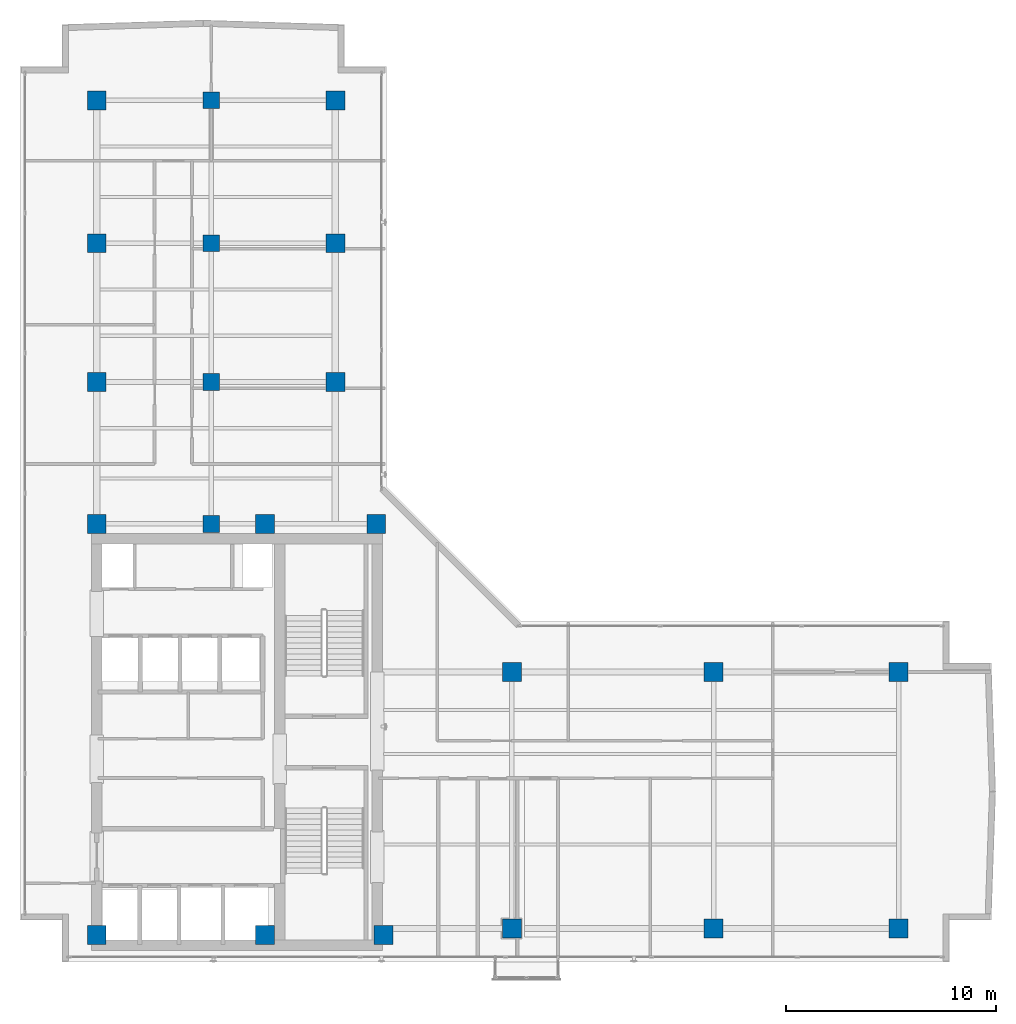
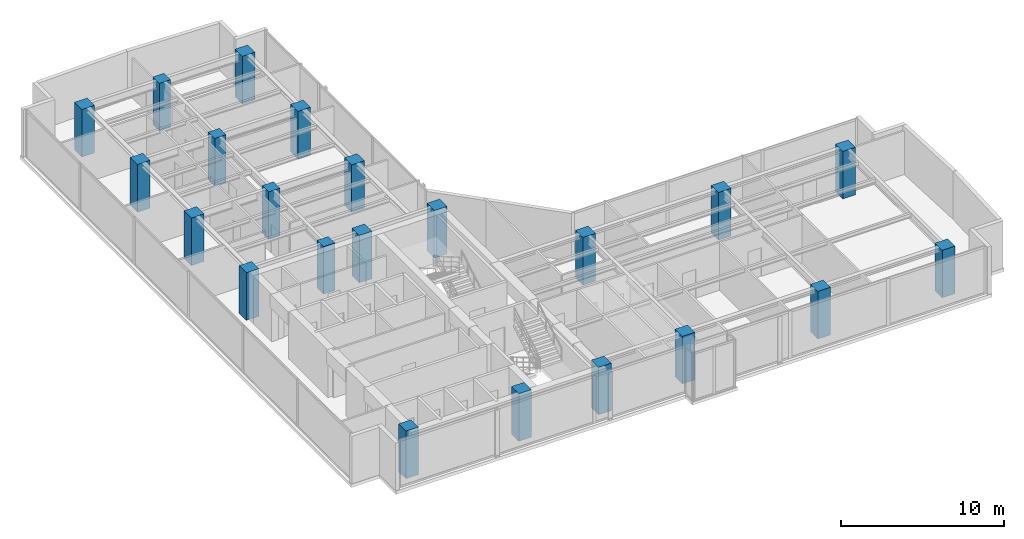
# One storey, part 1 of 22: 22 columns.
"""IFC4 building model written with IfcOpenShell, lengths in metres."""

from ifc_helpers import new_model, si_unit, direction, frame, origin, origin_2d, place, context, subcontext, project, spatial, rectangle, extrude, material, material_profile, profile_set, type_object, element, save


model = new_model("IFC4")

# Units and contexts
model_context = context("Model", 3, precision=1e-05, world=origin(), true_north=direction((0.0, 1.0)))
body_context = subcontext(model_context, "Body", "Model", "MODEL_VIEW")
ifc_project = project(units=[si_unit("LENGTHUNIT", "METRE"), si_unit("AREAUNIT", "SQUARE_METRE"), si_unit("VOLUMEUNIT", "CUBIC_METRE"), si_unit("PLANEANGLEUNIT", "RADIAN"), si_unit("MASSUNIT", "GRAM", prefix="KILO")], contexts=[model_context])

# Site, building, storey
site_placement = place(None, origin())
site = spatial("IfcSite", under=ifc_project, at=site_placement, CompositionType="ELEMENT")
building_placement = place(site_placement, origin())
building = spatial("IfcBuilding", under=site, at=building_placement, Name="Kolvaren Waterfront Exchange", CompositionType="ELEMENT")
storey_placement = place(building_placement, frame((0.0, 0.0, 323.60009765625)))
storey = spatial("IfcBuildingStorey", under=building, at=storey_placement, Name="L83", CompositionType="ELEMENT", Elevation=323.60009765625)

# Columns
ifc_material = material(Name="Concrete C50/60", Category="concrete")
ifc_material_profile_1 = material_profile(ifc_material, rectangle(XDim=0.800048828125, YDim=0.800048828125, at=origin_2d()), Name="RC-COL-800x800")
ifc_profile_set_1 = profile_set([ifc_material_profile_1], Name="Concrete C50/60")
column_type_1 = type_object("IfcColumnType", Name="STR-COL-800-C50", PredefinedType="COLUMN", material=ifc_profile_set_1)
for number, where, z_axis, x_axis, name in (
    (1, (12.89990234375, 24.449951171875, 0.0), (0.0, 0.0, 1.0), (1.0, 0.0, 0.0), "L83 column TC01"),
    (2, (12.89990234375, 31.199951171875, 0.0), (0.0, 0.0, 1.0), (1.0, 0.0, 0.0), "L83 column TC02"),
    (3, (12.89990234375, 37.800048828125, 0.0), (0.0, 0.0, 1.0), (1.0, 0.0, 0.0), "L83 column TC03"),
    (4, (12.89990234375, 44.60009765625, 0.0), (0.0, 0.0, 1.0), (1.0, 0.0, 0.0), "L83 column TC04"),
):
    element("IfcColumn", number, at=place(storey_placement, frame(where, z_axis=z_axis, x_axis=x_axis)), inside=storey, type_object=column_type_1, Name=name, PredefinedType="COLUMN", context=body_context, shape_type="SweptSolid", body=[
        extrude(rectangle(XDim=0.800048828125, YDim=0.800048828125, at=origin_2d()), origin(), (0.0, 0.0, 1.0), 3.559814453125),
    ])
ifc_material_profile_2 = material_profile(ifc_material, rectangle(XDim=0.89990234375, YDim=0.89990234375, at=origin_2d()), Name="RC-COL-900x900")
ifc_profile_set_2 = profile_set([ifc_material_profile_2], Name="Concrete C50/60")
column_type_2 = type_object("IfcColumnType", Name="STR-COL-900-C50", PredefinedType="COLUMN", material=ifc_profile_set_2)
for number, where, z_axis, x_axis, name in (
    (5, (7.449951171875, 4.89990234375, 0.0), (0.0, 0.0, 1.0), (1.0, 0.0, 0.0), "L83 column MC01"),
    (6, (15.449951171875, 4.89990234375, 0.0), (0.0, 0.0, 1.0), (1.0, 0.0, 0.0), "L83 column MC02"),
    (7, (21.10009765625, 4.89990234375, 0.0), (0.0, 0.0, 1.0), (1.0, 0.0, 0.0), "L83 column MC03"),
    (8, (7.449951171875, 24.449951171875, 0.0), (0.0, 0.0, 1.0), (1.0, 0.0, 0.0), "L83 column MC04"),
    (9, (15.449951171875, 24.449951171875, 0.0), (0.0, 0.0, 1.0), (1.0, 0.0, 0.0), "L83 column MC05"),
    (10, (20.75, 24.449951171875, 0.0), (0.0, 0.0, 1.0), (1.0, 0.0, 0.0), "L83 column MC06"),
    (11, (7.449951171875, 31.199951171875, 0.0), (0.0, 0.0, 1.0), (1.0, 0.0, 0.0), "L83 column NC01"),
    (12, (7.449951171875, 37.800048828125, 0.0), (0.0, 0.0, 1.0), (1.0, 0.0, 0.0), "L83 column NC02"),
    (13, (7.449951171875, 44.60009765625, 0.0), (0.0, 0.0, 1.0), (1.0, 0.0, 0.0), "L83 column NC03"),
    (14, (18.800048828125, 31.199951171875, 0.0), (0.0, 0.0, 1.0), (1.0, 0.0, 0.0), "L83 column NC04"),
    (15, (18.800048828125, 37.800048828125, 0.0), (0.0, 0.0, 1.0), (1.0, 0.0, 0.0), "L83 column NC05"),
    (16, (18.800048828125, 44.60009765625, 0.0), (0.0, 0.0, 1.0), (1.0, 0.0, 0.0), "L83 column NC06"),
    (17, (27.199951171875, 5.199951171875, 0.0), (0.0, 0.0, 1.0), (1.0, 0.0, 0.0), "L83 column EC01"),
    (18, (36.800048828125, 5.199951171875, 0.0), (0.0, 0.0, 1.0), (1.0, 0.0, 0.0), "L83 column EC02"),
    (19, (45.60009765625, 5.199951171875, 0.0), (0.0, 0.0, 1.0), (1.0, 0.0, 0.0), "L83 column EC03"),
    (20, (27.199951171875, 17.39990234375, 0.0), (0.0, 0.0, 1.0), (1.0, 0.0, 0.0), "L83 column EC04"),
    (21, (36.800048828125, 17.39990234375, 0.0), (0.0, 0.0, 1.0), (1.0, 0.0, 0.0), "L83 column EC05"),
    (22, (45.60009765625, 17.39990234375, 0.0), (0.0, 0.0, 1.0), (1.0, 0.0, 0.0), "L83 column EC06"),
):
    element("IfcColumn", number, at=place(storey_placement, frame(where, z_axis=z_axis, x_axis=x_axis)), inside=storey, type_object=column_type_2, Name=name, PredefinedType="COLUMN", context=body_context, shape_type="SweptSolid", body=[
        extrude(rectangle(XDim=0.89990234375, YDim=0.89990234375, at=origin_2d()), origin(), (0.0, 0.0, 1.0), 3.559814453125),
    ])

save(model, "model.ifc")
